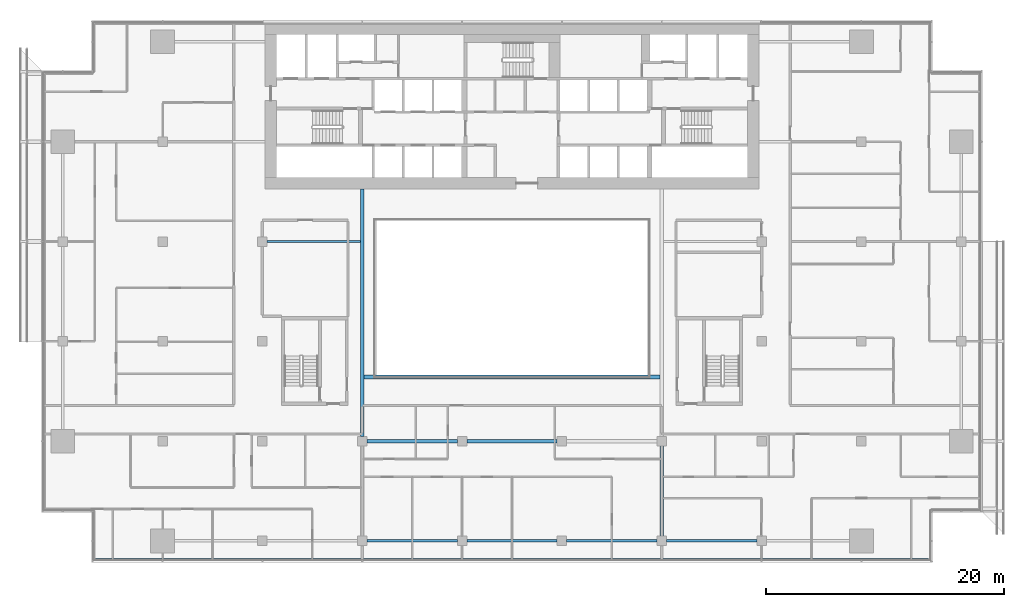
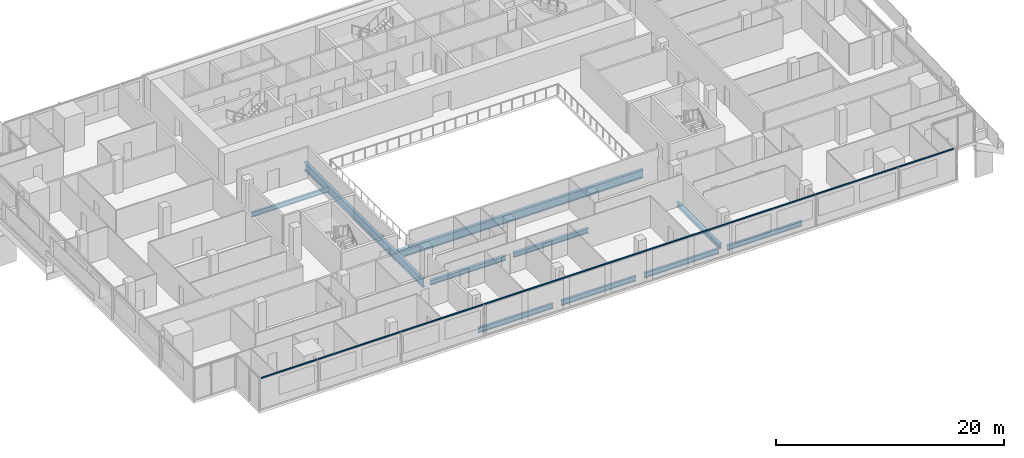
# One storey, part 5 of 25: 10 beams, 1 member, 1 element without a shape of its own.
"""IFC4 building model written with IfcOpenShell, lengths in metres."""

from ifc_helpers import new_model, si_unit, direction, frame, origin, origin_2d, place, context, subcontext, project, spatial, rectangle, i_section, extrude, material, material_profile, profile_set, type_object, element, aggregate, save


model = new_model("IFC4")

# Units and contexts
model_context = context("Model", 3, precision=1e-05, world=origin(), true_north=direction((0.0, 1.0)))
body_context = subcontext(model_context, "Body", "Model", "MODEL_VIEW")
ifc_project = project(units=[si_unit("LENGTHUNIT", "METRE"), si_unit("AREAUNIT", "SQUARE_METRE"), si_unit("VOLUMEUNIT", "CUBIC_METRE"), si_unit("PLANEANGLEUNIT", "RADIAN"), si_unit("MASSUNIT", "GRAM", prefix="KILO")], contexts=[model_context])

# Site, building, storey
site_placement = place(None, origin())
site = spatial("IfcSite", under=ifc_project, at=site_placement, CompositionType="ELEMENT")
building_placement = place(site_placement, origin())
building = spatial("IfcBuilding", under=site, at=building_placement, Name="Saffron Gate Tower", CompositionType="ELEMENT")
storey_placement = place(building_placement, frame((0.0, 0.0, 131.25)))
storey = spatial("IfcBuildingStorey", under=building, at=storey_placement, Name="L31", CompositionType="ELEMENT", Elevation=131.25)

# Beams
ifc_material_1 = material(Name="Structural steel S355", Category="steel")
ifc_material_profile_1 = material_profile(ifc_material_1, i_section(OverallWidth=0.199951171875, OverallDepth=0.5, WebThickness=0.01025390625, FlangeThickness=0.01611328125, FilletRadius=0.02099609375, at=origin_2d()))
ifc_profile_set_1 = profile_set([ifc_material_profile_1], Name="Structural steel S355")
beam_type_1 = type_object("IfcBeamType", Name="B10 IPE 500", PredefinedType="BEAM", material=ifc_profile_set_1)
beam_1_placement = place(storey_placement, frame((67.0, 57.0, -0.530029296875), z_axis=(1.0, 0.0, 0.0), x_axis=(0.0, 1.0, 0.0)))
element("IfcBeam", 1, at=beam_1_placement, inside=storey, type_object=beam_type_1, Name="B10 CORE TIE BEAM", PredefinedType="BEAM", context=body_context, shape_type="SweptSolid", body=[
    extrude(i_section(OverallWidth=0.199951171875, OverallDepth=0.5, WebThickness=0.01025390625, FlangeThickness=0.01611328125, FilletRadius=0.02099609375, at=origin_2d()), origin(), (0.0, 0.0, 1.0), 7.85009765625),
])
ifc_material_profile_2 = material_profile(ifc_material_1, i_section(OverallWidth=0.2099609375, OverallDepth=0.550048828125, WebThickness=0.010986328125, FlangeThickness=0.01708984375, FilletRadius=0.02392578125, at=origin_2d()))
ifc_profile_set_2 = profile_set([ifc_material_profile_2], Name="Structural steel S355")
beam_type_2 = type_object("IfcBeamType", Name="B13 IPE 550", PredefinedType="SPANDREL", material=ifc_profile_set_2)
beam_2_placement = place(storey_placement, frame((75.39990234375, 31.800048828125, -0.554931640625), z_axis=(1.0, 0.0, 0.0), x_axis=(0.0, 1.0, 0.0)))
element("IfcBeam", 2, at=beam_2_placement, inside=storey, type_object=beam_type_2, Name="B13 SPANDREL BEAM", PredefinedType="SPANDREL", context=body_context, shape_type="SweptSolid", body=[
    extrude(i_section(OverallWidth=0.2099609375, OverallDepth=0.550048828125, WebThickness=0.010986328125, FlangeThickness=0.01708984375, FilletRadius=0.02392578125, at=origin_2d()), origin(), (0.0, 0.0, 1.0), 7.60009765625),
])
beam_3_placement = place(storey_placement, frame((83.800048828125, 31.800048828125, -0.554931640625), z_axis=(1.0, 0.0, 0.0), x_axis=(0.0, 1.0, 0.0)))
element("IfcBeam", 3, at=beam_3_placement, inside=storey, type_object=beam_type_2, Name="B13 SPANDREL BEAM", PredefinedType="SPANDREL", context=body_context, shape_type="SweptSolid", body=[
    extrude(i_section(OverallWidth=0.2099609375, OverallDepth=0.550048828125, WebThickness=0.010986328125, FlangeThickness=0.01708984375, FilletRadius=0.02392578125, at=origin_2d()), origin(), (0.0, 0.0, 1.0), 7.599853515625),
])
beam_4_placement = place(storey_placement, frame((92.199951171875, 31.800048828125, -0.554931640625), z_axis=(1.0, 0.0, 0.0), x_axis=(0.0, 1.0, 0.0)))
element("IfcBeam", 4, at=beam_4_placement, inside=storey, type_object=beam_type_2, Name="B13 SPANDREL BEAM", PredefinedType="SPANDREL", context=body_context, shape_type="SweptSolid", body=[
    extrude(i_section(OverallWidth=0.2099609375, OverallDepth=0.550048828125, WebThickness=0.010986328125, FlangeThickness=0.01708984375, FilletRadius=0.02392578125, at=origin_2d()), origin(), (0.0, 0.0, 1.0), 7.60009765625),
])
beam_5_placement = place(storey_placement, frame((100.60009765625, 31.800048828125, -0.554931640625), z_axis=(1.0, 0.0, 0.0), x_axis=(0.0, 1.0, 0.0)))
element("IfcBeam", 5, at=beam_5_placement, inside=storey, type_object=beam_type_2, Name="B13 SPANDREL BEAM", PredefinedType="SPANDREL", context=body_context, shape_type="SweptSolid", body=[
    extrude(i_section(OverallWidth=0.2099609375, OverallDepth=0.550048828125, WebThickness=0.010986328125, FlangeThickness=0.01708984375, FilletRadius=0.02392578125, at=origin_2d()), origin(), (0.0, 0.0, 1.0), 7.599853515625),
])
ifc_material_profile_3 = material_profile(ifc_material_1, i_section(OverallWidth=0.300048828125, OverallDepth=0.889892578125, WebThickness=0.01611328125, FlangeThickness=0.030029296875, FilletRadius=0.030029296875, at=origin_2d()))
ifc_profile_set_3 = profile_set([ifc_material_profile_3], Name="Structural steel S355")
beam_type_3 = type_object("IfcBeamType", Name="B19 HEA 900", PredefinedType="BEAM", material=ifc_profile_set_3)
beam_6_placement = place(storey_placement, frame((75.0, 40.60009765625, -0.72509765625), z_axis=(0.0, 1.0, 0.0), x_axis=(-1.0, 0.0, 0.0)))
element("IfcBeam", 6, at=beam_6_placement, inside=storey, type_object=beam_type_3, Name="B19 ATRIUM GIRDER", PredefinedType="BEAM", context=body_context, shape_type="SweptSolid", body=[
    extrude(i_section(OverallWidth=0.300048828125, OverallDepth=0.889892578125, WebThickness=0.01611328125, FlangeThickness=0.030029296875, FilletRadius=0.030029296875, at=origin_2d()), origin(), (0.0, 0.0, 1.0), 20.7998046875),
])
beam_7_placement = place(storey_placement, frame((75.14990234375, 45.60009765625, -0.72509765625), z_axis=(1.0, 0.0, 0.0), x_axis=(0.0, 1.0, 0.0)))
element("IfcBeam", 7, at=beam_7_placement, inside=storey, type_object=beam_type_3, Name="B19 ATRIUM GIRDER", PredefinedType="BEAM", context=body_context, shape_type="SweptSolid", body=[
    extrude(i_section(OverallWidth=0.300048828125, OverallDepth=0.889892578125, WebThickness=0.01611328125, FlangeThickness=0.030029296875, FilletRadius=0.030029296875, at=origin_2d()), origin(), (0.0, 0.0, 1.0), 24.900146484375),
])
ifc_material_profile_4 = material_profile(ifc_material_1, i_section(OverallWidth=0.300048828125, OverallDepth=0.489990234375, WebThickness=0.011962890625, FlangeThickness=0.02294921875, FilletRadius=0.027099609375, at=origin_2d()))
ifc_profile_set_4 = profile_set([ifc_material_profile_4], Name="Structural steel S355")
beam_type_4 = type_object("IfcBeamType", Name="B8 HEA 500", PredefinedType="BEAM", material=ifc_profile_set_4)
for number, where, z_axis, x_axis, name in (
    (8, (100.199951171875, 32.199951171875, -0.52490234375), (0.0, 1.0, 0.0), (-1.0, 0.0, 0.0), "B8 FLOOR GIRDER"),
    (9, (75.39990234375, 40.199951171875, -0.52490234375), (1.0, 0.0, 0.0), (0.0, 1.0, 0.0), "B8 FLOOR GIRDER"),
):
    element("IfcBeam", number, at=place(storey_placement, frame(where, z_axis=z_axis, x_axis=x_axis)), inside=storey, type_object=beam_type_4, Name=name, PredefinedType="BEAM", context=body_context, shape_type="SweptSolid", body=[
        extrude(i_section(OverallWidth=0.300048828125, OverallDepth=0.489990234375, WebThickness=0.011962890625, FlangeThickness=0.02294921875, FilletRadius=0.027099609375, at=origin_2d()), origin(), (0.0, 0.0, 1.0), 7.60009765625),
    ])
beam_8_placement = place(storey_placement, frame((83.800048828125, 40.199951171875, -0.52490234375), z_axis=(1.0, 0.0, 0.0), x_axis=(0.0, 1.0, 0.0)))
element("IfcBeam", 10, at=beam_8_placement, inside=storey, type_object=beam_type_4, Name="B8 FLOOR GIRDER", PredefinedType="BEAM", context=body_context, shape_type="SweptSolid", body=[
    extrude(i_section(OverallWidth=0.300048828125, OverallDepth=0.489990234375, WebThickness=0.011962890625, FlangeThickness=0.02294921875, FilletRadius=0.027099609375, at=origin_2d()), origin(), (0.0, 0.0, 1.0), 7.599853515625),
])

# Curtain wall, member
ifc_material_2 = material(Name="Aluminium, bronze anodised", Category="aluminium")
curtain_wall_type = type_object("IfcCurtainWallType", Name="CWS1 curtain wall front facade", PredefinedType="NOTDEFINED", material=ifc_material_2)
curtain_wall_placement = place(storey_placement, origin())
curtain_wall = element("IfcCurtainWall", 11, at=curtain_wall_placement, inside=storey, type_object=curtain_wall_type, Name="CWS1 run 1", PredefinedType="NOTDEFINED")
ifc_material_profile_5 = material_profile(ifc_material_2, rectangle(XDim=0.1201171875, YDim=0.1201171875, at=origin_2d()))
ifc_profile_set_5 = profile_set([ifc_material_profile_5], Name="Aluminium, bronze anodised")
member_type = type_object("IfcMemberType", Name="CWS1 head transom", PredefinedType="USERDEFINED", material=ifc_profile_set_5)
member_placement = place(storey_placement, frame((52.568115234375, 30.248046875, 3.260009765625), z_axis=(1.0, 0.0, 0.0), x_axis=(0.0, 1.0, 0.0)))
member = element("IfcMember", 12, at=member_placement, type_object=member_type, Name="CWS1 head transom", ObjectType="TRANSOM", PredefinedType="USERDEFINED", context=body_context, shape_type="SweptSolid", body=[
    extrude(rectangle(XDim=0.1201171875, YDim=0.1201171875, at=origin_2d()), origin(), (0.0, 0.0, 1.0), 70.06396484375),
])
aggregate(curtain_wall, [member])

save(model, "model.ifc")
